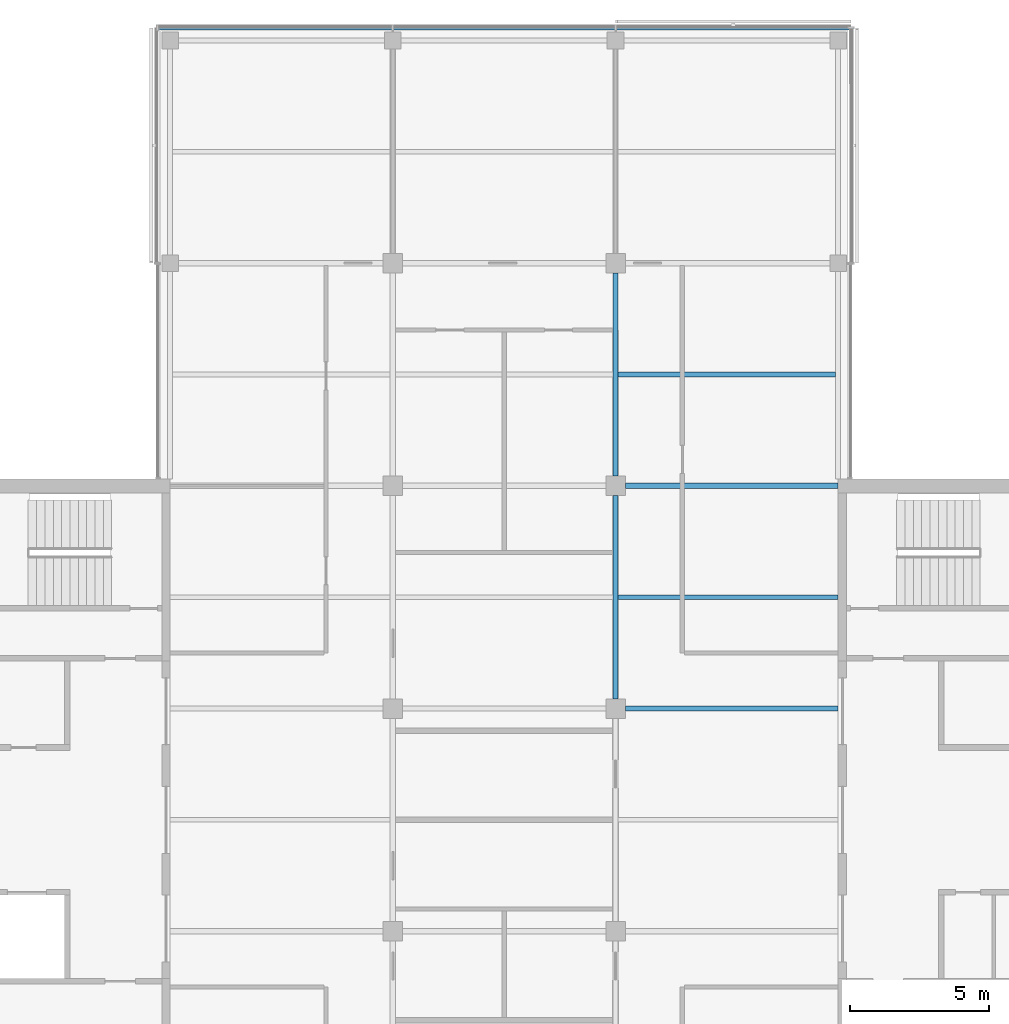
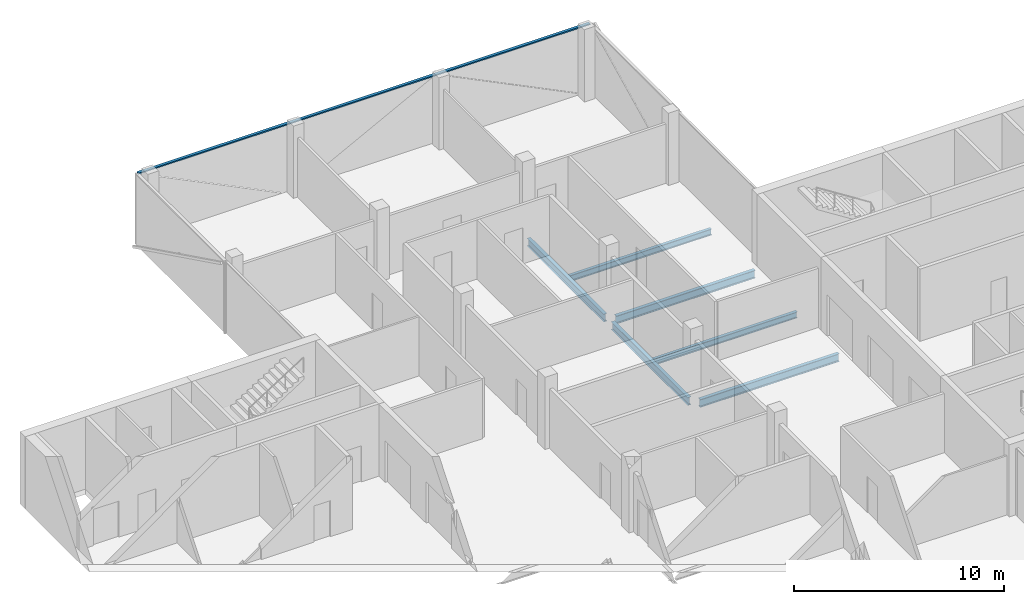
# One storey, part 6 of 16: 6 beams, 1 member, 1 element without a shape of its own.
"""IFC4 building model written with IfcOpenShell, lengths in metres."""

from ifc_helpers import new_model, si_unit, direction, frame, origin, origin_2d, place, context, subcontext, project, spatial, rectangle, i_section, extrude, material, material_profile, profile_set, type_object, element, aggregate, save


model = new_model("IFC4")

# Units and contexts
model_context = context("Model", 3, precision=1e-05, world=origin(), true_north=direction((0.0, 1.0)))
body_context = subcontext(model_context, "Body", "Model", "MODEL_VIEW")
ifc_project = project(units=[si_unit("LENGTHUNIT", "METRE"), si_unit("AREAUNIT", "SQUARE_METRE"), si_unit("VOLUMEUNIT", "CUBIC_METRE"), si_unit("PLANEANGLEUNIT", "RADIAN"), si_unit("MASSUNIT", "GRAM", prefix="KILO")], contexts=[model_context])

# Site, building, storey
site_placement = place(None, origin())
site = spatial("IfcSite", under=ifc_project, at=site_placement, CompositionType="ELEMENT")
building_placement = place(site_placement, origin())
building = spatial("IfcBuilding", under=site, at=building_placement, Name="Crosswind Convention Tower", CompositionType="ELEMENT")
storey_placement = place(building_placement, frame((0.0, 0.0, 249.300048828125)))
storey = spatial("IfcBuildingStorey", under=building, at=storey_placement, Name="L53", CompositionType="ELEMENT", Elevation=249.300048828125)

# Beams
ifc_material_1 = material(Name="Steel S355", Category="steel")
ifc_material_profile_1 = material_profile(ifc_material_1, i_section(OverallWidth=0.18994140625, OverallDepth=0.45361328125, WebThickness=0.008544921875, FlangeThickness=0.0126953125, FilletRadius=0.01025390625, at=origin_2d()), Name="UB 457x191x67")
ifc_profile_set_1 = profile_set([ifc_material_profile_1], Name="Steel S355")
beam_type_1 = type_object("IfcBeamType", Name="Girder UB 457x191x67", PredefinedType="BEAM", material=ifc_profile_set_1)
for number, where, z_axis, x_axis, name in (
    (1, (129.0, 104.35009765625, -0.52685546875), (0.0, 1.0, 0.0), (-1.0, 0.0, 0.0), "B1 L53 girder 20"),
    (2, (129.0, 112.35009765625, -0.52685546875), (0.0, 1.0, 0.0), (-1.0, 0.0, 0.0), "B1 L53 girder 21"),
):
    element("IfcBeam", number, at=place(storey_placement, frame(where, z_axis=z_axis, x_axis=x_axis)), inside=storey, type_object=beam_type_1, Name=name, PredefinedType="BEAM", context=body_context, shape_type="SweptSolid", body=[
        extrude(i_section(OverallWidth=0.18994140625, OverallDepth=0.45361328125, WebThickness=0.008544921875, FlangeThickness=0.0126953125, FilletRadius=0.01025390625, at=origin_2d()), origin(), (0.0, 0.0, 1.0), 7.2998046875),
    ])
ifc_material_profile_2 = material_profile(ifc_material_1, i_section(OverallWidth=0.1904296875, OverallDepth=0.457275390625, WebThickness=0.009033203125, FlangeThickness=0.014404296875, FilletRadius=0.01025390625, at=origin_2d()), Name="UB 457x191x75")
ifc_profile_set_2 = profile_set([ifc_material_profile_2], Name="Steel S355")
beam_type_2 = type_object("IfcBeamType", Name="Girder at core wall UB 457x191x75", PredefinedType="BEAM", material=ifc_profile_set_2)
for number, where, z_axis, x_axis, name in (
    (3, (129.35009765625, 104.0, -0.528564453125), (1.0, 0.0, 0.0), (0.0, 1.0, 0.0), "B22 L53 girder at core wall 7"),
    (4, (129.35009765625, 112.0, -0.528564453125), (1.0, 0.0, 0.0), (0.0, 1.0, 0.0), "B22 L53 girder at core wall 8"),
):
    element("IfcBeam", number, at=place(storey_placement, frame(where, z_axis=z_axis, x_axis=x_axis)), inside=storey, type_object=beam_type_2, Name=name, PredefinedType="BEAM", context=body_context, shape_type="SweptSolid", body=[
        extrude(i_section(OverallWidth=0.1904296875, OverallDepth=0.457275390625, WebThickness=0.009033203125, FlangeThickness=0.014404296875, FilletRadius=0.01025390625, at=origin_2d()), origin(), (0.0, 0.0, 1.0), 7.64990234375),
    ])
ifc_material_profile_3 = material_profile(ifc_material_1, i_section(OverallWidth=0.17138671875, OverallDepth=0.355712890625, WebThickness=0.00732421875, FlangeThickness=0.011474609375, FilletRadius=0.01025390625, at=origin_2d()), Name="UB 356x171x51")
ifc_profile_set_3 = profile_set([ifc_material_profile_3], Name="Steel S355")
beam_type_3 = type_object("IfcBeamType", Name="Secondary beam UB 356x171x51", PredefinedType="JOIST", material=ifc_profile_set_3)
beam_1_placement = place(storey_placement, frame((129.094970703125, 108.0, -0.477783203125), z_axis=(1.0, 0.0, 0.0), x_axis=(0.0, 1.0, 0.0)))
element("IfcBeam", 5, at=beam_1_placement, inside=storey, type_object=beam_type_3, Name="B8 L53 secondary beam 19", PredefinedType="JOIST", context=body_context, shape_type="SweptSolid", body=[
    extrude(i_section(OverallWidth=0.17138671875, OverallDepth=0.355712890625, WebThickness=0.00732421875, FlangeThickness=0.011474609375, FilletRadius=0.01025390625, at=origin_2d()), origin(), (0.0, 0.0, 1.0), 7.905029296875),
])
beam_2_placement = place(storey_placement, frame((129.094970703125, 116.0, -0.477783203125), z_axis=(1.0, 0.0, 0.0), x_axis=(0.0, 1.0, 0.0)))
element("IfcBeam", 6, at=beam_2_placement, inside=storey, type_object=beam_type_3, Name="B8 L53 secondary beam 20", PredefinedType="JOIST", context=body_context, shape_type="SweptSolid", body=[
    extrude(i_section(OverallWidth=0.17138671875, OverallDepth=0.355712890625, WebThickness=0.00732421875, FlangeThickness=0.011474609375, FilletRadius=0.01025390625, at=origin_2d()), origin(), (0.0, 0.0, 1.0), 7.816162109375),
])

# Curtain wall, member
ifc_material_2 = material(Name="Aluminium unitised curtain wall", Category="aluminium")
curtain_wall_type = type_object("IfcCurtainWallType", Name="OFFICE UNITISED WALL 220", PredefinedType="USERDEFINED", material=ifc_material_2)
curtain_wall_placement = place(storey_placement, origin())
curtain_wall = element("IfcCurtainWall", 7, at=curtain_wall_placement, inside=storey, type_object=curtain_wall_type, Name="CW3 L53 N-TIP 1", ObjectType="UNITISED", PredefinedType="USERDEFINED")
ifc_material_3 = material(Name="Aluminium transom", Category="aluminium")
ifc_material_profile_4 = material_profile(ifc_material_3, rectangle(XDim=0.159912109375, YDim=0.070068359375, at=origin_2d()), Name="AL 160X70")
ifc_profile_set_4 = profile_set([ifc_material_profile_4], Name="Aluminium transom")
member_type = type_object("IfcMemberType", Name="TRANSOM 70X160", PredefinedType="USERDEFINED", material=ifc_profile_set_4)
member_placement = place(storey_placement, frame((137.425048828125, 128.4599609375, 3.864990234375), z_axis=(-1.0, 0.0, 0.0), x_axis=(0.0, -1.0, 0.0)))
member = element("IfcMember", 8, at=member_placement, type_object=member_type, Name="CW3 transom", ObjectType="TRANSOM", PredefinedType="USERDEFINED", context=body_context, shape_type="SweptSolid", body=[
    extrude(rectangle(XDim=0.159912109375, YDim=0.070068359375, at=origin_2d()), origin(), (0.0, 0.0, 1.0), 24.85009765625),
])
aggregate(curtain_wall, [member])

save(model, "model.ifc")
